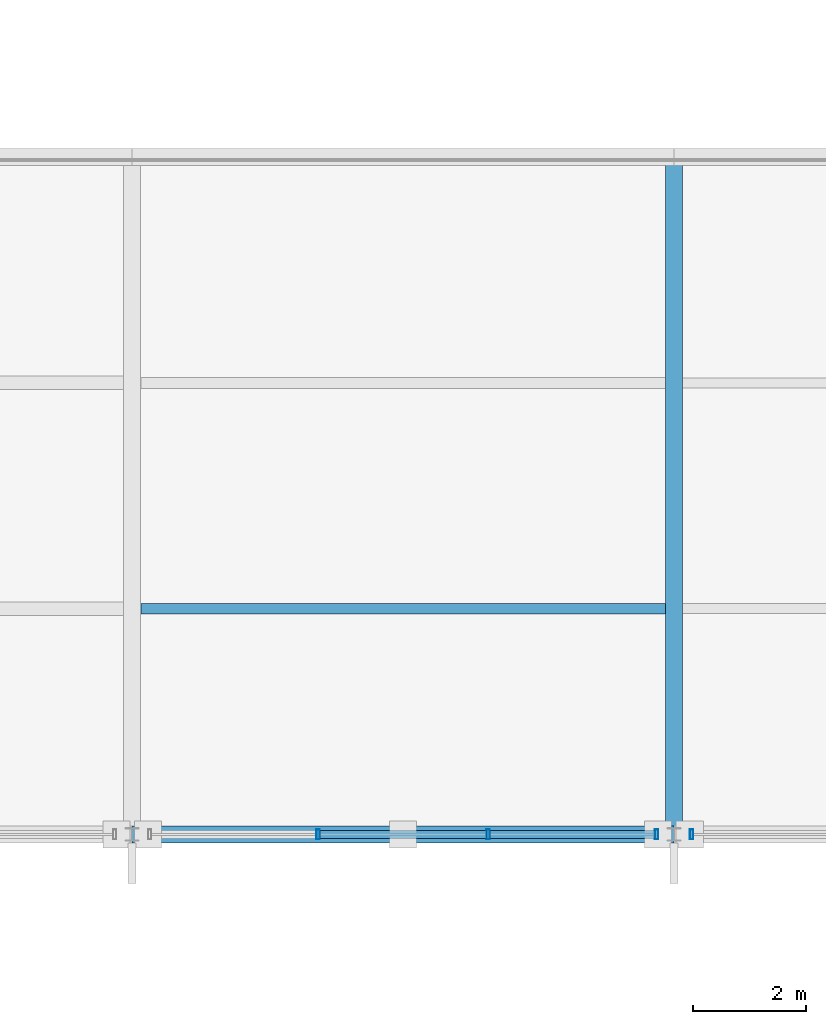
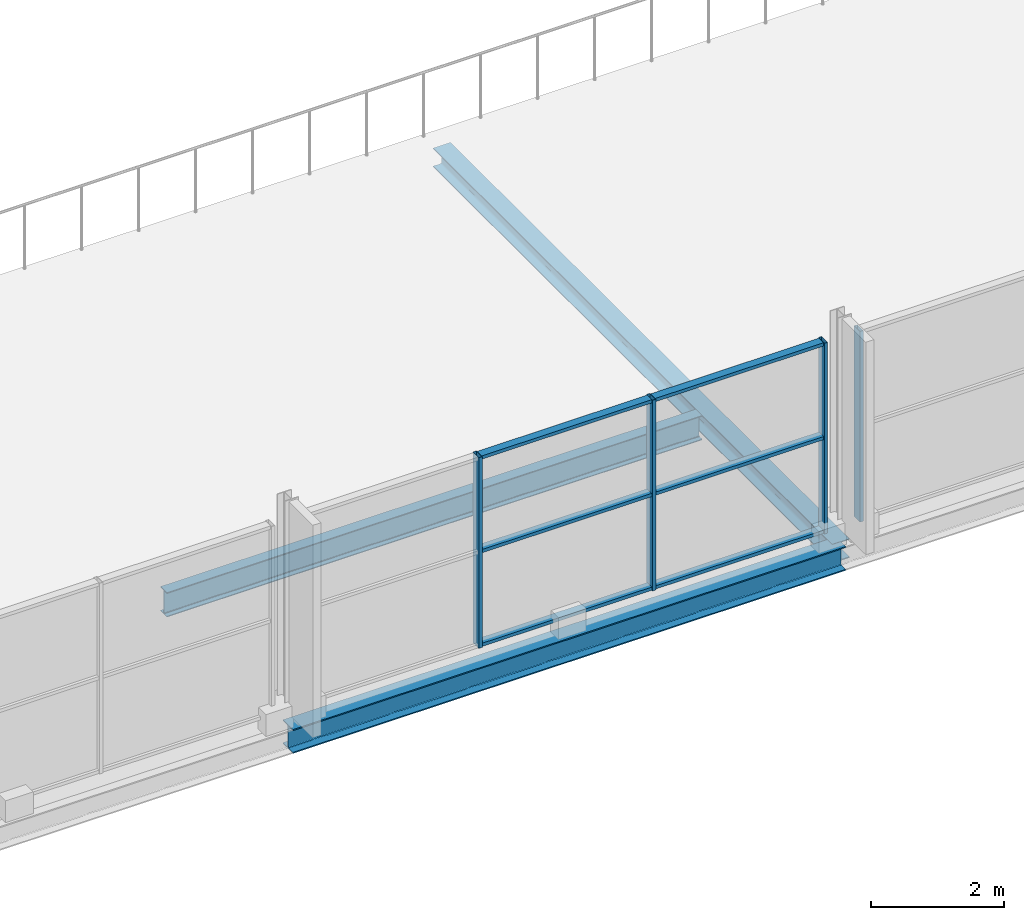
# One storey, part 26 of 117: 10 members, 3 beams, 2 elements without a shape of their own.
"""IFC4 building model written with IfcOpenShell, lengths in metres."""

from ifc_helpers import new_model, si_unit, direction, frame, origin, origin_2d, place, context, subcontext, project, spatial, hollow_rectangle, i_section, extrude, material, material_profile, profile_set, type_object, element, aggregate, save


model = new_model("IFC4")

# Units and contexts
model_context = context("Model", 3, precision=1e-05, world=origin(), true_north=direction((0.0, 1.0)))
body_context = subcontext(model_context, "Body", "Model", "MODEL_VIEW")
ifc_project = project(units=[si_unit("LENGTHUNIT", "METRE"), si_unit("AREAUNIT", "SQUARE_METRE"), si_unit("VOLUMEUNIT", "CUBIC_METRE"), si_unit("PLANEANGLEUNIT", "RADIAN"), si_unit("MASSUNIT", "GRAM", prefix="KILO")], contexts=[model_context])

# Site, building, storey
site_placement = place(None, origin())
site = spatial("IfcSite", under=ifc_project, at=site_placement, CompositionType="ELEMENT")
building_placement = place(site_placement, origin())
building = spatial("IfcBuilding", under=site, at=building_placement, Name="Merenkruunu Market Hall", CompositionType="ELEMENT")
storey_placement = place(building_placement, frame((0.0, 0.0, 10.199951171875)))
storey = spatial("IfcBuildingStorey", under=building, at=storey_placement, Name="L02", CompositionType="ELEMENT", Elevation=10.199951171875)

# Curtain wall, members
ifc_material_1 = material(Name="Powder-coated aluminium", Category="aluminium")
curtain_wall_type = type_object("IfcCurtainWallType", Name="Glazed Curtain Wall CW10", PredefinedType="USERDEFINED", material=ifc_material_1)
curtain_wall_1_placement = place(storey_placement, origin())
curtain_wall_1 = element("IfcCurtainWall", 1, at=curtain_wall_1_placement, inside=storey, type_object=curtain_wall_type, Name="CW-L02-CWM02-030", ObjectType="GLAZED_FACADE", PredefinedType="USERDEFINED")
ifc_material_profile_1 = material_profile(ifc_material_1, hollow_rectangle(XDim=0.06005859375, YDim=0.179931640625, WallThickness=0.00390625, at=origin_2d()), Name="ALU 60x180x4")
ifc_profile_set_1 = profile_set([ifc_material_profile_1], Name="Powder-coated aluminium")
member_type_1 = type_object("IfcMemberType", Name="Curtain Wall Mullion CWM02", PredefinedType="MULLION", material=ifc_profile_set_1)
member_1_placement = place(storey_placement, frame((38.090087890625, 15.60009765625, 0.0), z_axis=(0.0, 0.0, 1.0), x_axis=(-1.0, 0.0, 0.0)))
member_1 = element("IfcMember", 2, at=member_1_placement, type_object=member_type_1, Name="CW10 mullion 1", PredefinedType="MULLION", context=body_context, shape_type="SweptSolid", body=[
    extrude(hollow_rectangle(XDim=0.06005859375, YDim=0.179931640625, WallThickness=0.00390625, at=origin_2d()), origin(), (0.0, 0.0, 1.0), 3.5),
])
member_2_placement = place(storey_placement, frame((35.106689453125, 15.60009765625, 0.0), z_axis=(0.0, 0.0, 1.0), x_axis=(-1.0, 0.0, 0.0)))
member_2 = element("IfcMember", 3, at=member_2_placement, type_object=member_type_1, Name="CW10 mullion 2", PredefinedType="MULLION", context=body_context, shape_type="SweptSolid", body=[
    extrude(hollow_rectangle(XDim=0.06005859375, YDim=0.179931640625, WallThickness=0.00390625, at=origin_2d()), origin(), (0.0, 0.0, 1.0), 3.5),
])
member_3_placement = place(storey_placement, frame((32.09326171875, 15.60009765625, 0.0), z_axis=(0.0, 0.0, 1.0), x_axis=(-1.0, 0.0, 0.0)))
member_3 = element("IfcMember", 4, at=member_3_placement, type_object=member_type_1, Name="CW10 mullion 3", PredefinedType="MULLION", context=body_context, shape_type="SweptSolid", body=[
    extrude(hollow_rectangle(XDim=0.06005859375, YDim=0.179931640625, WallThickness=0.00390625, at=origin_2d()), origin(), (0.0, 0.0, 1.0), 3.5),
])

# Curtain wall, member
curtain_wall_2_placement = place(storey_placement, origin())
curtain_wall_2 = element("IfcCurtainWall", 5, at=curtain_wall_2_placement, inside=storey, type_object=curtain_wall_type, Name="CW-L02-CWM02-033", ObjectType="GLAZED_FACADE", PredefinedType="USERDEFINED")
member_4_placement = place(storey_placement, frame((38.7099609375, 15.60009765625, 0.0), z_axis=(0.0, 0.0, 1.0), x_axis=(-1.0, 0.0, 0.0)))
member_4 = element("IfcMember", 6, at=member_4_placement, type_object=member_type_1, Name="CW10 mullion 4", PredefinedType="MULLION", context=body_context, shape_type="SweptSolid", body=[
    extrude(hollow_rectangle(XDim=0.06005859375, YDim=0.179931640625, WallThickness=0.00390625, at=origin_2d()), origin(), (0.0, 0.0, 1.0), 3.5),
])
aggregate(curtain_wall_2, [member_4])

# Member
ifc_material_profile_2 = material_profile(ifc_material_1, hollow_rectangle(XDim=0.06005859375, YDim=0.139892578125, WallThickness=0.00390625, at=origin_2d()), Name="ALU 60x140x4")
ifc_profile_set_2 = profile_set([ifc_material_profile_2], Name="Powder-coated aluminium")
member_type_2 = type_object("IfcMemberType", Name="Curtain Wall Transom CWT02", PredefinedType="USERDEFINED", material=ifc_profile_set_2)
member_5_placement = place(storey_placement, frame((38.06005859375, 15.60009765625, 0.030029296875), z_axis=(-1.0, 0.0, 0.0), x_axis=(0.0, 0.0, 1.0)))
member_5 = element("IfcMember", 7, at=member_5_placement, type_object=member_type_2, Name="CW10 transom 1.1", ObjectType="TRANSOM", PredefinedType="USERDEFINED", context=body_context, shape_type="SweptSolid", body=[
    extrude(hollow_rectangle(XDim=0.06005859375, YDim=0.139892578125, WallThickness=0.00390625, at=origin_2d()), origin(), (0.0, 0.0, 1.0), 2.92333984375),
])

member_6_placement = place(storey_placement, frame((38.06005859375, 15.60009765625, 1.75), z_axis=(-1.0, 0.0, 0.0), x_axis=(0.0, 0.0, 1.0)))
member_6 = element("IfcMember", 8, at=member_6_placement, type_object=member_type_2, Name="CW10 transom 1.2", ObjectType="TRANSOM", PredefinedType="USERDEFINED", context=body_context, shape_type="SweptSolid", body=[
    extrude(hollow_rectangle(XDim=0.06005859375, YDim=0.139892578125, WallThickness=0.00390625, at=origin_2d()), origin(), (0.0, 0.0, 1.0), 2.92333984375),
])

member_7_placement = place(storey_placement, frame((38.06005859375, 15.60009765625, 3.469970703125), z_axis=(-1.0, 0.0, 0.0), x_axis=(0.0, 0.0, 1.0)))
member_7 = element("IfcMember", 9, at=member_7_placement, type_object=member_type_2, Name="CW10 transom 1.3", ObjectType="TRANSOM", PredefinedType="USERDEFINED", context=body_context, shape_type="SweptSolid", body=[
    extrude(hollow_rectangle(XDim=0.06005859375, YDim=0.139892578125, WallThickness=0.00390625, at=origin_2d()), origin(), (0.0, 0.0, 1.0), 2.92333984375),
])

member_8_placement = place(storey_placement, frame((35.07666015625, 15.60009765625, 0.030029296875), z_axis=(-1.0, 0.0, 0.0), x_axis=(0.0, 0.0, 1.0)))
member_8 = element("IfcMember", 10, at=member_8_placement, type_object=member_type_2, Name="CW10 transom 2.1", ObjectType="TRANSOM", PredefinedType="USERDEFINED", context=body_context, shape_type="SweptSolid", body=[
    extrude(hollow_rectangle(XDim=0.06005859375, YDim=0.139892578125, WallThickness=0.00390625, at=origin_2d()), origin(), (0.0, 0.0, 1.0), 2.953369140625),
])

member_9_placement = place(storey_placement, frame((35.07666015625, 15.60009765625, 1.75), z_axis=(-1.0, 0.0, 0.0), x_axis=(0.0, 0.0, 1.0)))
member_9 = element("IfcMember", 11, at=member_9_placement, type_object=member_type_2, Name="CW10 transom 2.2", ObjectType="TRANSOM", PredefinedType="USERDEFINED", context=body_context, shape_type="SweptSolid", body=[
    extrude(hollow_rectangle(XDim=0.06005859375, YDim=0.139892578125, WallThickness=0.00390625, at=origin_2d()), origin(), (0.0, 0.0, 1.0), 2.953369140625),
])

member_10_placement = place(storey_placement, frame((35.07666015625, 15.60009765625, 3.469970703125), z_axis=(-1.0, 0.0, 0.0), x_axis=(0.0, 0.0, 1.0)))
member_10 = element("IfcMember", 12, at=member_10_placement, type_object=member_type_2, Name="CW10 transom 2.3", ObjectType="TRANSOM", PredefinedType="USERDEFINED", context=body_context, shape_type="SweptSolid", body=[
    extrude(hollow_rectangle(XDim=0.06005859375, YDim=0.139892578125, WallThickness=0.00390625, at=origin_2d()), origin(), (0.0, 0.0, 1.0), 2.953369140625),
])

aggregate(curtain_wall_1, [member_1, member_2, member_3, member_5, member_6, member_7, member_8, member_9, member_10])

# Beams
ifc_material_2 = material(Name="Steel S355J2", Category="steel")
ifc_material_profile_3 = material_profile(ifc_material_2, i_section(OverallWidth=0.300048828125, OverallDepth=0.43994140625, WebThickness=0.011474609375, FlangeThickness=0.02099609375, FilletRadius=0.027099609375, at=origin_2d()), Name="HEA 450")
ifc_profile_set_3 = profile_set([ifc_material_profile_3], Name="Steel S355J2")
beam_type_1 = type_object("IfcBeamType", Name="Primary Floor Girder B07", PredefinedType="BEAM", material=ifc_profile_set_3)
beam_1_placement = place(storey_placement, frame((28.800048828125, 15.60009765625, -0.530029296875), z_axis=(1.0, 0.0, 0.0), x_axis=(0.0, 1.0, 0.0)))
element("IfcBeam", 13, at=beam_1_placement, inside=storey, type_object=beam_type_1, Name="BM-L02-B07-0745", PredefinedType="BEAM", context=body_context, shape_type="SweptSolid", body=[
    extrude(i_section(OverallWidth=0.300048828125, OverallDepth=0.43994140625, WebThickness=0.011474609375, FlangeThickness=0.02099609375, FilletRadius=0.027099609375, at=origin_2d()), origin(), (0.0, 0.0, 1.0), 9.599853515625),
])
ifc_material_profile_4 = material_profile(ifc_material_2, i_section(OverallWidth=0.300048828125, OverallDepth=0.35009765625, WebThickness=0.010009765625, FlangeThickness=0.017578125, FilletRadius=0.027099609375, at=origin_2d()), Name="HEA 360")
ifc_profile_set_4 = profile_set([ifc_material_profile_4], Name="Steel S355J2")
beam_type_2 = type_object("IfcBeamType", Name="Primary Floor Girder B08", PredefinedType="BEAM", material=ifc_profile_set_4)
beam_2_placement = place(storey_placement, frame((38.39990234375, 15.60009765625, -0.48486328125), z_axis=(0.0, 1.0, 0.0), x_axis=(-1.0, 0.0, 0.0)))
element("IfcBeam", 14, at=beam_2_placement, inside=storey, type_object=beam_type_2, Name="BM-L02-B08-0777", PredefinedType="BEAM", context=body_context, shape_type="SweptSolid", body=[
    extrude(i_section(OverallWidth=0.300048828125, OverallDepth=0.35009765625, WebThickness=0.010009765625, FlangeThickness=0.017578125, FilletRadius=0.027099609375, at=origin_2d()), origin(), (0.0, 0.0, 1.0), 12.0),
])
ifc_material_profile_5 = material_profile(ifc_material_2, i_section(OverallWidth=0.18994140625, OverallDepth=0.449951171875, WebThickness=0.009521484375, FlangeThickness=0.0146484375, FilletRadius=0.02099609375, at=origin_2d()), Name="IPE 450")
ifc_profile_set_5 = profile_set([ifc_material_profile_5], Name="Steel S355J2")
beam_type_3 = type_object("IfcBeamType", Name="Secondary Floor Joist J01", PredefinedType="JOIST", material=ifc_profile_set_5)
beam_3_placement = place(storey_placement, frame((28.952880859375, 19.60009765625, -0.534912109375), z_axis=(1.0, 0.0, 0.0), x_axis=(0.0, 1.0, 0.0)))
element("IfcBeam", 15, at=beam_3_placement, inside=storey, type_object=beam_type_3, Name="BM-L02-J01-0818", PredefinedType="JOIST", context=body_context, shape_type="SweptSolid", body=[
    extrude(i_section(OverallWidth=0.18994140625, OverallDepth=0.449951171875, WebThickness=0.009521484375, FlangeThickness=0.0146484375, FilletRadius=0.02099609375, at=origin_2d()), origin(), (0.0, 0.0, 1.0), 9.294189453125),
])

save(model, "model.ifc")
